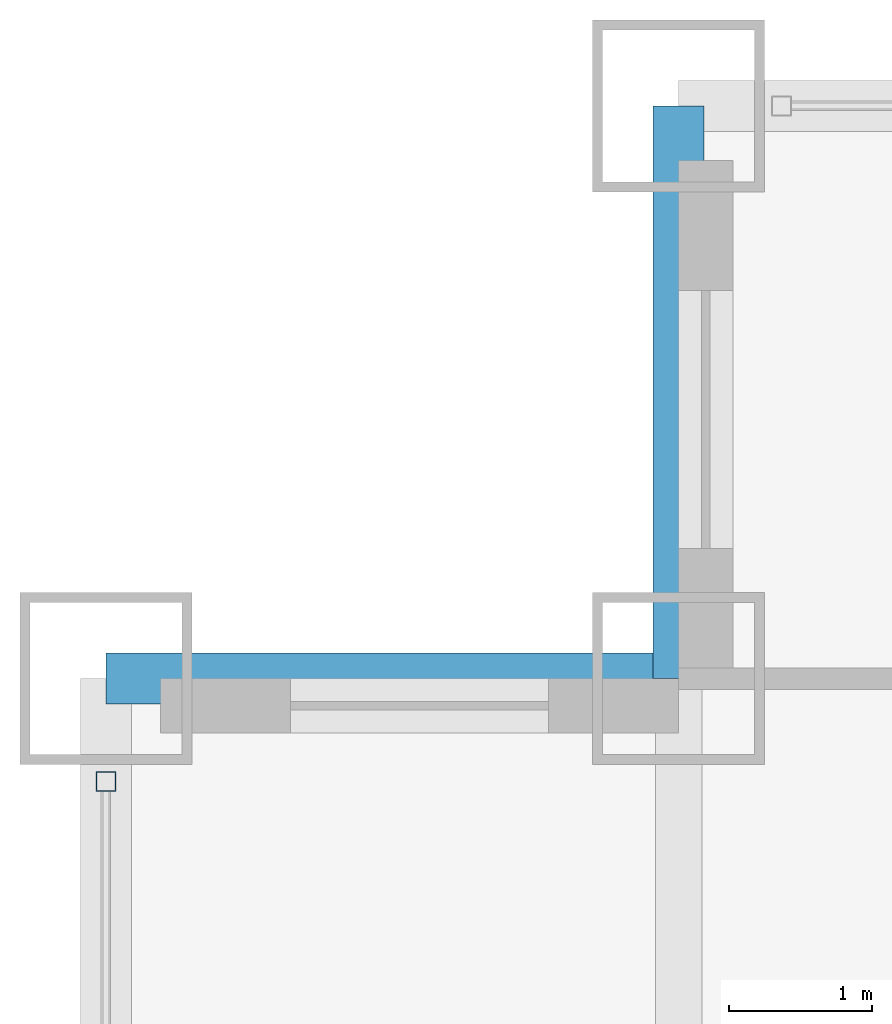
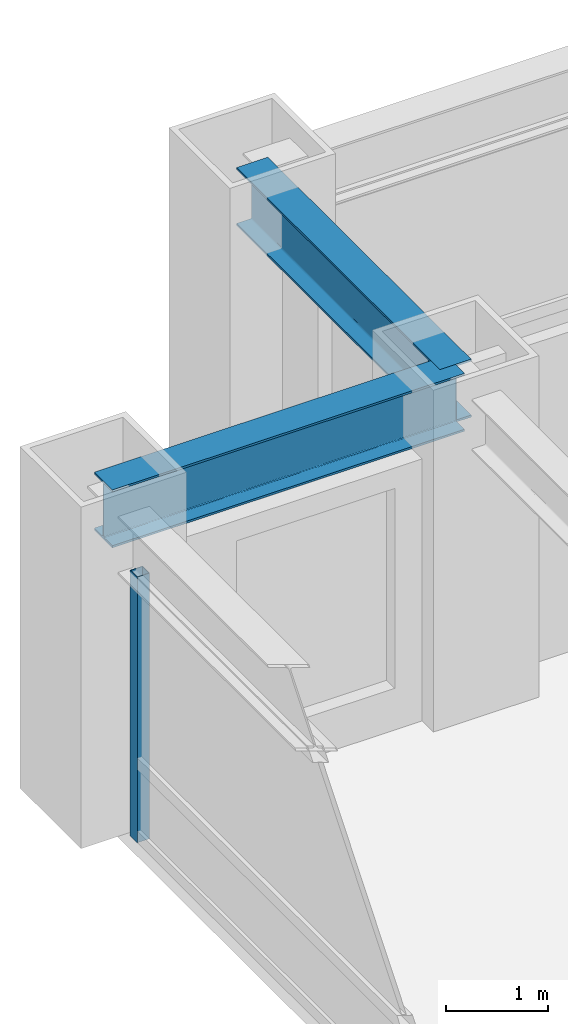
# One storey, part 10 of 27: 2 beams, 1 member, 1 element without a shape of its own.
"""IFC4 building model written with IfcOpenShell, lengths in metres."""

from ifc_helpers import new_model, si_unit, direction, frame, origin, origin_2d, place, context, subcontext, project, spatial, hollow_rectangle, i_section, extrude, source, transform, mapped, material, material_profile, profile_set, type_object, element, aggregate, save


model = new_model("IFC4")

# Units and contexts
model_context = context("Model", 3, precision=1e-05, world=origin(), true_north=direction((0.0, 1.0)))
body_context = subcontext(model_context, "Body", "Model", "MODEL_VIEW")
ifc_project = project(units=[si_unit("LENGTHUNIT", "METRE"), si_unit("AREAUNIT", "SQUARE_METRE"), si_unit("VOLUMEUNIT", "CUBIC_METRE"), si_unit("PLANEANGLEUNIT", "RADIAN"), si_unit("MASSUNIT", "GRAM", prefix="KILO")], contexts=[model_context])

# Site, building, storey
site_placement = place(None, origin())
site = spatial("IfcSite", under=ifc_project, at=site_placement, CompositionType="ELEMENT")
building_placement = place(site_placement, origin())
building = spatial("IfcBuilding", under=site, at=building_placement, Name="Khorayat Bourse Tower", CompositionType="ELEMENT")
storey_placement = place(building_placement, frame((0.0, 0.0, 107.800048828125)))
storey = spatial("IfcBuildingStorey", under=building, at=storey_placement, Name="L24", CompositionType="ELEMENT", Elevation=107.800048828125)

# Beams
ifc_material_1 = material(Name="Steel ASTM A992 Grade 50", Category="steel")
ifc_material_profile_1 = material_profile(ifc_material_1, i_section(OverallWidth=0.35498046875, OverallDepth=0.695068359375, WebThickness=0.015380859375, FlangeThickness=0.02490234375, FilletRadius=0.01806640625, at=origin_2d()), Name="W690X217")
ifc_profile_set_1 = profile_set([ifc_material_profile_1], Name="Steel ASTM A992 Grade 50")
beam_type = type_object("IfcBeamType", Name="BM-SPAN-690", PredefinedType="SPANDREL", material=ifc_profile_set_1)
shared_shape_1 = source(origin(), body_context, "Body", "SweptSolid", [
    extrude(i_section(OverallWidth=0.35498046875, OverallDepth=0.695068359375, WebThickness=0.015380859375, FlangeThickness=0.02490234375, FilletRadius=0.01806640625, at=origin_2d()), origin(), (0.0, 0.0, 1.0), 4.0),
])
for number, where, z_axis, x_axis, name in (
    (1, (-28.0, 28.0, 3.492431640625), (0.0, 1.0, 0.0), (-1.0, 0.0, 0.0), "L24 BM-SPAN-690 BM-L24-SPN-052"),
    (2, (-32.0, 28.0, 3.492431640625), (1.0, 0.0, 0.0), (0.0, 1.0, 0.0), "L24 BM-SPAN-690 BM-L24-SPN-053"),
):
    element("IfcBeam", number, at=place(storey_placement, frame(where, z_axis=z_axis, x_axis=x_axis)), inside=storey, type_object=beam_type, Name=name, PredefinedType="SPANDREL", context=body_context, shape_type="MappedRepresentation", body=[
        mapped(shared_shape_1, transform((0.0, 0.0, 0.0), scale=1.0)),
    ])

# Curtain wall, member
ifc_material_2 = material(Name="Aluminium EN AW-6063 T6", Category="aluminium")
curtain_wall_type = type_object("IfcCurtainWallType", Name="CW-SYS-02", PredefinedType="NOTDEFINED", material=ifc_material_2)
curtain_wall_placement = place(storey_placement, origin())
curtain_wall = element("IfcCurtainWall", 3, at=curtain_wall_placement, inside=storey, type_object=curtain_wall_type, Name="L24 Curtain Wall CW-L24-W1", PredefinedType="NOTDEFINED")
ifc_material_profile_2 = material_profile(ifc_material_2, hollow_rectangle(XDim=0.139892578125, YDim=0.139892578125, WallThickness=0.006103515625, at=origin_2d()), Name="ALU 140x140x6")
ifc_profile_set_2 = profile_set([ifc_material_profile_2], Name="Aluminium EN AW-6063 T6")
member_type = type_object("IfcMemberType", Name="CWM-VERT-140", PredefinedType="MULLION", material=ifc_profile_set_2)
shared_shape_2 = source(origin(), body_context, "Body", "SweptSolid", [
    extrude(hollow_rectangle(XDim=0.139892578125, YDim=0.139892578125, WallThickness=0.006103515625, at=origin_2d()), origin(), (0.0, 0.0, 1.0), 3.18994140625),
])
member_placement = place(storey_placement, frame((-32.0, 27.280029296875, 0.0), z_axis=(0.0, 0.0, 1.0), x_axis=(-1.0, 0.0, 0.0)))
member = element("IfcMember", 4, at=member_placement, type_object=member_type, Name="CW-L24-W1 Vertical Mullion 3", PredefinedType="MULLION", context=body_context, shape_type="MappedRepresentation", body=[
    mapped(shared_shape_2, transform((0.0, 0.0, 0.0), scale=1.0)),
])
aggregate(curtain_wall, [member])

save(model, "model.ifc")
